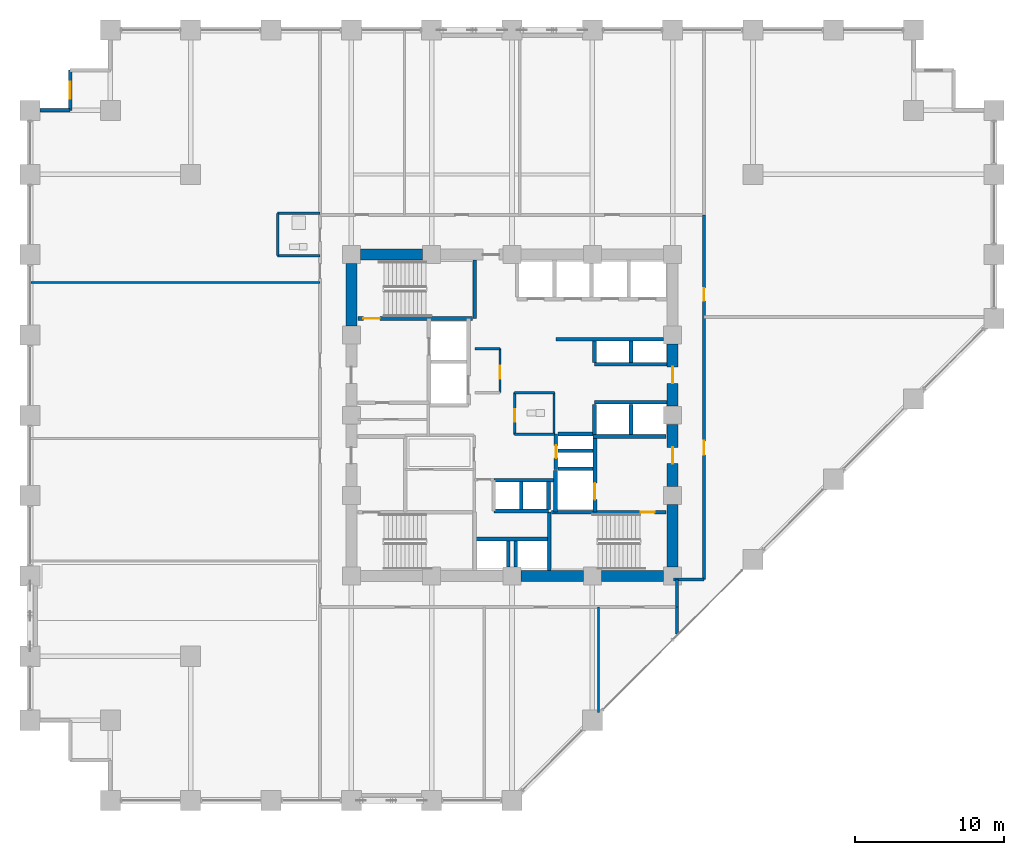
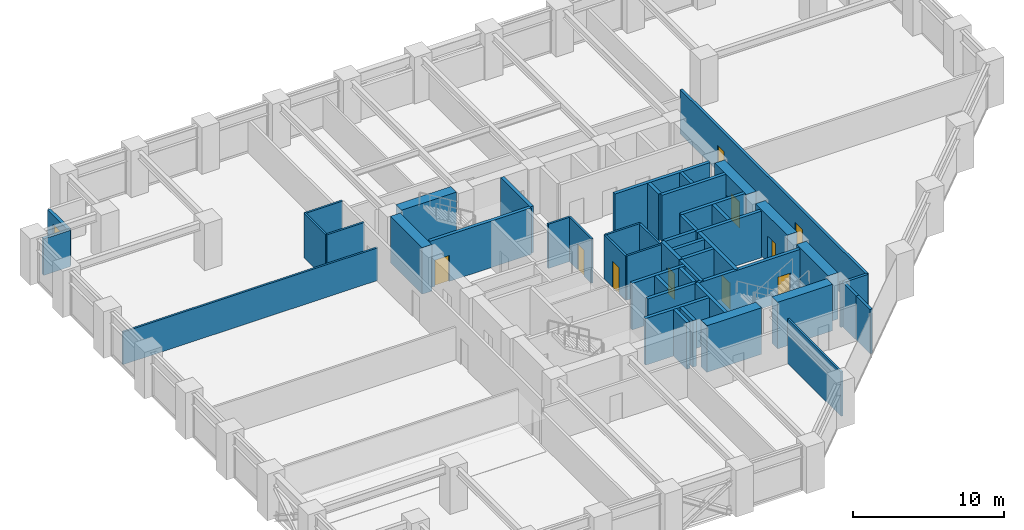
# One storey, part 21 of 25: 49 walls, 10 doors, 1 window, 11 openings.
"""IFC4 building model written with IfcOpenShell, lengths in metres."""

import ifcopenshell
import ifcopenshell.guid

model = None  # the IFC model being written
_history = None  # IfcOwnerHistory: only IFC2X3 demands one
_inside = {}  # id of a spatial element -> (the spatial element, [elements in it])
_under = {}  # id of a project, library or spatial element -> (it, [spatial elements below it])
_declared = {}  # id of a project -> (the project, [libraries it declares])
_typed = {}  # id of a type object -> (the type object, [elements of that type])
_made_of = {}  # id of a material, layer set ... -> (it, [elements and type objects made of it])


def new_model(schema):
    """Start an empty IFC model of exactly this schema.

    Asked for "IFC4X3", IfcOpenShell would pick the latest addendum, in which some entities
    have other attributes; the version numbers below select the first issue.
    IFC2X3 requires an IfcOwnerHistory on every rooted entity: one is made here for all.
    """
    global model, _history
    if schema == "IFC4X3":
        model = ifcopenshell.file(schema_version=(4, 3, 0, 0))
    else:
        model = ifcopenshell.file(schema=schema)
    _inside.clear()
    _under.clear()
    _declared.clear()
    _typed.clear()
    _made_of.clear()
    _history = None
    if model.schema == "IFC2X3":
        org = make("IfcOrganization", Name="unknown")
        user = make(
            "IfcPersonAndOrganization",
            ThePerson=make("IfcPerson", FamilyName="unknown"),
            TheOrganization=org,
        )
        app = make(
            "IfcApplication",
            ApplicationDeveloper=org,
            Version="unknown",
            ApplicationFullName="unknown",
            ApplicationIdentifier="unknown",
        )
        _history = make(
            "IfcOwnerHistory",
            OwningUser=user,
            OwningApplication=app,
            ChangeAction="ADDED",
            CreationDate=0,
        )
    return model


def make(cls, **values):
    """One entity of the class cls with the attributes given. An attribute that is None is left unset."""
    return model.create_entity(
        cls, **{name: value for name, value in values.items() if value is not None}
    )


def rooted(cls, **values):
    """An entity with a GlobalId (a new one), such as an element, a storey or a relation."""
    return make(cls, GlobalId=ifcopenshell.guid.new(), OwnerHistory=_history, **values)


def si_unit(unit_type, name, prefix=None):
    """IfcSIUnit, for example si_unit("LENGTHUNIT", "METRE", prefix="MILLI")."""
    return make("IfcSIUnit", UnitType=unit_type, Prefix=prefix, Name=name)


def assignment(units):
    """IfcUnitAssignment: the units of a project."""
    return None if units is None else make("IfcUnitAssignment", Units=units)


def point(xyz):
    """IfcCartesianPoint."""
    return None if xyz is None else make("IfcCartesianPoint", Coordinates=xyz)


def direction(xyz):
    """IfcDirection."""
    return None if xyz is None else make("IfcDirection", DirectionRatios=xyz)


def frame(location, z_axis=None, x_axis=None):
    """IfcAxis2Placement3D, a coordinate frame: its origin and axes. An axis left out is left unset."""
    return make(
        "IfcAxis2Placement3D",
        Location=point(location),
        Axis=direction(z_axis),
        RefDirection=direction(x_axis),
    )


def frame_2d(location, x_axis=None):
    """IfcAxis2Placement2D, a coordinate frame in the plane: its origin and x axis."""
    return make(
        "IfcAxis2Placement2D", Location=point(location), RefDirection=direction(x_axis)
    )


def origin():
    """The frame at (0, 0, 0) with its axes left unset."""
    return frame((0.0, 0.0, 0.0))


def place(relative_to, where):
    """IfcLocalPlacement: puts the frame where relative to a parent placement (None: the world)."""
    return make(
        "IfcLocalPlacement", PlacementRelTo=relative_to, RelativePlacement=where
    )


def context(
    kind, dimensions, precision=None, world=None, true_north=None, identifier=None
):
    """IfcGeometricRepresentationContext, for example the 3D "Model" context."""
    return make(
        "IfcGeometricRepresentationContext",
        ContextIdentifier=identifier,
        ContextType=kind,
        CoordinateSpaceDimension=dimensions,
        Precision=precision,
        WorldCoordinateSystem=world,
        TrueNorth=true_north,
    )


def subcontext(parent, identifier, kind, view, scale=None):
    """IfcGeometricRepresentationSubContext, for example "Body" below "Model"."""
    return make(
        "IfcGeometricRepresentationSubContext",
        ContextIdentifier=identifier,
        ContextType=kind,
        ParentContext=parent,
        TargetScale=scale,
        TargetView=view,
    )


def project(units=None, contexts=None):
    """IfcProject with its units and contexts."""
    return rooted(
        "IfcProject",
        Name="project",
        RepresentationContexts=contexts,
        UnitsInContext=assignment(units),
    )


def spatial(cls, under=None, at=None, **own):
    """A site, building, storey or space (cls), placed at a placement, below another one or the project."""
    s = rooted(cls, ObjectPlacement=at, **own)
    if under is not None:
        _under.setdefault(under.id(), (under, []))[1].append(s)
    return s


def profile(cls, at=None, kind="AREA", **sizes):
    """A parametric profile (cls). Its sizes go by their IFC names, for example OverallWidth=200.0."""
    return make(cls, ProfileType=kind, Position=at, **sizes)


def rectangle(**sizes):
    """IfcRectangleProfileDef."""
    return profile("IfcRectangleProfileDef", **sizes)


def extrude(swept, where, along, depth):
    """IfcExtrudedAreaSolid: the profile swept, set in the frame where, extruded along a direction by depth."""
    return make(
        "IfcExtrudedAreaSolid",
        SweptArea=swept,
        Position=where,
        ExtrudedDirection=direction(along),
        Depth=depth,
    )


def shape(context_of_items, identifier, shape_type, items):
    """IfcShapeRepresentation: the items that make up one representation, for example the "Body"."""
    return make(
        "IfcShapeRepresentation",
        ContextOfItems=context_of_items,
        RepresentationIdentifier=identifier,
        RepresentationType=shape_type,
        Items=items,
    )


def material(Name=None, Category=None):
    """IfcMaterial."""
    return make("IfcMaterial", Name=Name, Category=Category)


def layer(
    of_material, thickness, ventilated=None, Name=None, Category=None, Priority=None
):
    """IfcMaterialLayer: one layer of a wall or slab, of a material (None: an air gap)."""
    return make(
        "IfcMaterialLayer",
        Material=of_material,
        LayerThickness=thickness,
        IsVentilated=ventilated,
        Name=Name,
        Category=Category,
        Priority=Priority,
    )


def layer_set(layers, Name=None):
    """IfcMaterialLayerSet."""
    return make("IfcMaterialLayerSet", MaterialLayers=layers, LayerSetName=Name)


def made_of(thing, what):
    """Note that an element or type object is made of a material, layer set ...; save() writes the relation."""
    if what is not None:
        _made_of.setdefault(what.id(), (what, []))[1].append(thing)
    return thing


def type_object(cls, material=None, **own):
    """A type object (cls), such as IfcWallType, which elements share."""
    return made_of(rooted(cls, **own), material)


def element(
    cls,
    number,
    at=None,
    inside=None,
    cuts=None,
    type_object=None,
    material=None,
    context=None,
    identifier="Body",
    shape_type=None,
    held_by="IfcProductDefinitionShape",
    body=None,
    shapes=None,
    **own,
):
    """One element of the class cls, such as IfcWall. Its Tag is "e" and its number.

    at: its placement. inside: the storey or other place that contains it. cuts: it is an
    opening in that element (IfcRelVoidsElement). A single representation is given by context,
    identifier, shape_type and body (its items); several are given by shapes. held_by: the class
    of the entity that holds the representations. save() writes the other relations.
    """
    e = rooted(cls, Tag="e%d" % number, ObjectPlacement=at, **own)
    if body is not None:
        shapes = [shape(context, identifier, shape_type, body)]
    if shapes is not None:
        e.Representation = make(held_by, Representations=shapes)
    if inside is not None:
        _inside.setdefault(inside.id(), (inside, []))[1].append(e)
    if cuts is not None:
        rooted(
            "IfcRelVoidsElement", RelatingBuildingElement=cuts, RelatedOpeningElement=e
        )
    if type_object is not None:
        _typed.setdefault(type_object.id(), (type_object, []))[1].append(e)
    return made_of(e, material)


def fill(opening, filler):
    """IfcRelFillsElement: the door or window that sits in an opening."""
    return rooted(
        "IfcRelFillsElement",
        RelatingOpeningElement=opening,
        RelatedBuildingElement=filler,
    )


def aggregate(whole, parts):
    """IfcRelAggregates: a whole, such as a stair, and the parts it consists of."""
    return rooted("IfcRelAggregates", RelatingObject=whole, RelatedObjects=parts)


def save(model, path):
    """Write the relations noted so far, then the file.

    IfcRelAggregates (storeys below a building ...), IfcRelContainedInSpatialStructure (elements
    in a storey), IfcRelDefinesByType, IfcRelAssociatesMaterial and IfcRelDeclares: one each for
    every whole, place, type object, material and project.
    """
    for whole, parts in _under.values():
        aggregate(whole, parts)
    for where, things in _inside.values():
        rooted(
            "IfcRelContainedInSpatialStructure",
            RelatedElements=things,
            RelatingStructure=where,
        )
    for kind, things in _typed.values():
        rooted("IfcRelDefinesByType", RelatedObjects=things, RelatingType=kind)
    for what, things in _made_of.values():
        rooted("IfcRelAssociatesMaterial", RelatedObjects=things, RelatingMaterial=what)
    for by, libraries in _declared.values():
        rooted("IfcRelDeclares", RelatingContext=by, RelatedDefinitions=libraries)
    model.write(path)


model = new_model("IFC4")

# Units and contexts
model_context = context("Model", 3, precision=1e-05, world=origin(), true_north=direction((0.0, 1.0)))
body_context = subcontext(model_context, "Body", "Model", "MODEL_VIEW")
ifc_project = project(units=[si_unit("LENGTHUNIT", "METRE"), si_unit("AREAUNIT", "SQUARE_METRE"), si_unit("VOLUMEUNIT", "CUBIC_METRE"), si_unit("PLANEANGLEUNIT", "RADIAN"), si_unit("MASSUNIT", "GRAM", prefix="KILO")], contexts=[model_context])

# Site, building, storey
site_placement = place(None, origin())
site = spatial("IfcSite", under=ifc_project, at=site_placement, CompositionType="ELEMENT")
building_placement = place(site_placement, origin())
building = spatial("IfcBuilding", under=site, at=building_placement, Name="Surkhivell Harbour Commons", CompositionType="ELEMENT")
storey_placement = place(building_placement, frame((0.0, 0.0, 48.75)))
storey = spatial("IfcBuildingStorey", under=building, at=storey_placement, Name="L12", CompositionType="ELEMENT", Elevation=48.75)

# Walls
ifc_material_1 = material(Name="Concrete C60/75", Category="concrete")
ifc_layer_1 = layer(ifc_material_1, 0.75)
ifc_layer_set_1 = layer_set([ifc_layer_1], Name="Concrete C60/75")
wall_type_1 = type_object("IfcWallType", Name="WAL-CORE-750", PredefinedType="SHEAR", material=ifc_layer_set_1)
for number, where, z_axis, x_axis, name in (
    (1, (-10.18994140625, 10.800048828125, 0.0), (0.0, 0.0, 1.0), (1.0, 0.0, 0.0), "L12 Core Shear Wall North 1"),
    (2, (10.800048828125, -10.18994140625, 0.0), (0.0, 0.0, 1.0), (0.0, 1.0, 0.0), "L12 Core Shear Wall East 1"),
):
    element("IfcWall", number, at=place(storey_placement, frame(where, z_axis=z_axis, x_axis=x_axis)), inside=storey, type_object=wall_type_1, Name=name, PredefinedType="SHEAR", context=body_context, shape_type="SweptSolid", body=[
        extrude(rectangle(XDim=4.179931640625, YDim=0.75, at=frame_2d((2.08984375, 0.0))), origin(), (0.0, 0.0, 1.0), 3.75),
    ])

# Wall, opening, door
wall_1_placement = place(storey_placement, frame((10.800048828125, -4.7900390625, 0.0), z_axis=(0.0, 0.0, 1.0), x_axis=(0.0, 1.0, 0.0)))
wall_1 = element("IfcWall", 3, at=wall_1_placement, inside=storey, type_object=wall_type_1, Name="L12 Core Shear Wall East 2", PredefinedType="SHEAR", context=body_context, shape_type="SweptSolid", body=[
    extrude(rectangle(XDim=4.179931640625, YDim=0.75, at=frame_2d((2.08984375, 0.0))), origin(), (0.0, 0.0, 1.0), 3.75),
])
opening_1_placement = place(wall_1_placement, frame((1.5400390625, 0.0, 0.0)))
opening_1 = element("IfcOpeningElement", 4, at=opening_1_placement, cuts=wall_1, Name="Opening ID-1", PredefinedType="OPENING", context=body_context, shape_type="SweptSolid", body=[
    extrude(rectangle(XDim=1.10009765625, YDim=2.10009765625, at=frame_2d((0.550048828125, 1.050048828125))), frame((0.0, 0.385009765625, 0.0), z_axis=(0.0, -1.0, 0.0), x_axis=(1.0, 0.0, 0.0)), (0.0, 0.0, 1.0), 0.77001953125),
])
ifc_material_2 = material(Name="Hardwood-veneered fire-rated door leaf", Category="wood")
door_type_1 = type_object("IfcDoorType", Name="DOR-FD120-1100", OperationType="NOTDEFINED", PredefinedType="DOOR", material=ifc_material_2)
door_1_placement = place(opening_1_placement, origin())
door_1 = element("IfcDoor", 5, at=door_1_placement, inside=storey, type_object=door_type_1, Name="L12 Firefighting Lobby 2 Corridor Door", OperationType="SINGLE_SWING_RIGHT", OverallHeight=2.10009765625, OverallWidth=1.10009765625, PredefinedType="DOOR", context=body_context, shape_type="SweptSolid", body=[
    extrude(rectangle(XDim=1.10009765625, YDim=2.10009765625, at=frame_2d((0.550048828125, 1.050048828125))), frame((0.0, 0.02490234375, 0.0), z_axis=(0.0, -1.0, 0.0), x_axis=(1.0, 0.0, 0.0)), (0.0, 0.0, 1.0), 0.050048828125),
])
fill(opening_1, door_1)

# Wall
wall_2_placement = place(storey_placement, frame((0.610107421875, -10.800048828125, 0.0), z_axis=(0.0, 0.0, 1.0), x_axis=(1.0, 0.0, 0.0)))
element("IfcWall", 6, at=wall_2_placement, inside=storey, type_object=wall_type_1, Name="L12 Core Shear Wall South 3", PredefinedType="SHEAR", context=body_context, shape_type="SweptSolid", body=[
    extrude(rectangle(XDim=4.179931640625, YDim=0.75, at=frame_2d((2.08984375, 0.0))), origin(), (0.0, 0.0, 1.0), 3.75),
])

# Wall, opening, door
wall_3_placement = place(storey_placement, frame((10.800048828125, 0.610107421875, 0.0), z_axis=(0.0, 0.0, 1.0), x_axis=(0.0, 1.0, 0.0)))
wall_3 = element("IfcWall", 7, at=wall_3_placement, inside=storey, type_object=wall_type_1, Name="L12 Core Shear Wall East 3", PredefinedType="SHEAR", context=body_context, shape_type="SweptSolid", body=[
    extrude(rectangle(XDim=4.179931640625, YDim=0.75, at=frame_2d((2.08984375, 0.0))), origin(), (0.0, 0.0, 1.0), 3.75),
])
opening_2_placement = place(wall_3_placement, frame((1.5400390625, 0.0, 0.0)))
opening_2 = element("IfcOpeningElement", 8, at=opening_2_placement, cuts=wall_3, Name="Opening ID-2", PredefinedType="OPENING", context=body_context, shape_type="SweptSolid", body=[
    extrude(rectangle(XDim=1.10009765625, YDim=2.10009765625, at=frame_2d((0.550048828125, 1.050048828125))), frame((0.0, 0.385009765625, 0.0), z_axis=(0.0, -1.0, 0.0), x_axis=(1.0, 0.0, 0.0)), (0.0, 0.0, 1.0), 0.77001953125),
])
door_type_2 = type_object("IfcDoorType", Name="DOR-FD60-1100", OperationType="NOTDEFINED", PredefinedType="DOOR", material=ifc_material_2)
door_2_placement = place(opening_2_placement, origin())
door_2 = element("IfcDoor", 9, at=door_2_placement, inside=storey, type_object=door_type_2, Name="L12 Mid-Rise Lobby East Door", OperationType="SINGLE_SWING_LEFT", OverallHeight=2.10009765625, OverallWidth=1.10009765625, PredefinedType="DOOR", context=body_context, shape_type="SweptSolid", body=[
    extrude(rectangle(XDim=1.10009765625, YDim=2.10009765625, at=frame_2d((0.550048828125, 1.050048828125))), frame((0.0, 0.02490234375, 0.0), z_axis=(0.0, -1.0, 0.0), x_axis=(1.0, 0.0, 0.0)), (0.0, 0.0, 1.0), 0.050048828125),
])
fill(opening_2, door_2)

# Walls
for number, where, z_axis, x_axis, name in (
    (10, (6.010009765625, -10.800048828125, 0.0), (0.0, 0.0, 1.0), (1.0, 0.0, 0.0), "L12 Core Shear Wall South 4"),
    (11, (-10.800048828125, 6.010009765625, 0.0), (0.0, 0.0, 1.0), (0.0, 1.0, 0.0), "L12 Core Shear Wall West 4"),
):
    element("IfcWall", number, at=place(storey_placement, frame(where, z_axis=z_axis, x_axis=x_axis)), inside=storey, type_object=wall_type_1, Name=name, PredefinedType="SHEAR", context=body_context, shape_type="SweptSolid", body=[
        extrude(rectangle(XDim=4.179931640625, YDim=0.75, at=frame_2d((2.08984375, 0.0))), origin(), (0.0, 0.0, 1.0), 3.75),
    ])

# Wall, opening, window
ifc_material_3 = material(Name="Bronze-ochre cassette precast concrete C45/55", Category="concrete")
ifc_layer_2 = layer(ifc_material_3, 0.239990234375)
ifc_layer_set_2 = layer_set([ifc_layer_2], Name="Bronze-ochre cassette precast concrete C45/55")
wall_type_2 = type_object("IfcWallType", Name="WAL-EXT-OCH240", PredefinedType="STANDARD", material=ifc_layer_set_2)
wall_4_placement = place(storey_placement, frame((-29.699951171875, 23.199951171875, 0.0), z_axis=(0.0, 0.0, 1.0), x_axis=(0.0, -1.0, 0.0)))
wall_4 = element("IfcWall", 12, at=wall_4_placement, inside=storey, type_object=wall_type_2, Name="L12 Serrated Corner Facade Wall 10", PredefinedType="STANDARD", context=body_context, shape_type="SweptSolid", body=[
    extrude(rectangle(XDim=2.699951171875, YDim=0.239990234375, at=frame_2d((1.35009765625, 0.0))), origin(), (0.0, 0.0, 1.0), 2.929931640625),
])
opening_3_placement = place(wall_4_placement, frame((0.77490234375, 0.0, 0.64990234375)))
opening_3 = element("IfcOpeningElement", 13, at=opening_3_placement, cuts=wall_4, Name="Opening WN-10", PredefinedType="OPENING", context=body_context, shape_type="SweptSolid", body=[
    extrude(rectangle(XDim=1.14990234375, YDim=1.550048828125, at=frame_2d((0.574951171875, 0.77490234375))), frame((0.0, 0.1298828125, 0.0), z_axis=(0.0, -1.0, 0.0), x_axis=(1.0, 0.0, 0.0)), (0.0, 0.0, 1.0), 0.260009765625),
])
ifc_material_4 = material(Name="Thermal-break aluminium frame and double low-E glazing", Category="aluminium")
window_type = type_object("IfcWindowType", Name="WIN-SER-1150x1550", PartitioningType="SINGLE_PANEL", PredefinedType="WINDOW", material=ifc_material_4)
window_placement = place(opening_3_placement, origin())
window = element("IfcWindow", 14, at=window_placement, inside=storey, type_object=window_type, Name="L12 Serrated Alcove Window 10", OverallHeight=1.550048828125, OverallWidth=1.14990234375, PartitioningType="SINGLE_PANEL", PredefinedType="WINDOW", context=body_context, shape_type="SweptSolid", body=[
    extrude(rectangle(XDim=1.14990234375, YDim=1.550048828125, at=frame_2d((0.574951171875, 0.77490234375))), frame((0.0, 0.030029296875, 0.0), z_axis=(0.0, -1.0, 0.0), x_axis=(1.0, 0.0, 0.0)), (0.0, 0.0, 1.0), 0.06005859375),
])
fill(opening_3, window)

# Walls
wall_5_placement = place(storey_placement, frame((-29.699951171875, 20.5, 0.0), z_axis=(0.0, 0.0, 1.0), x_axis=(-1.0, 0.0, 0.0)))
element("IfcWall", 15, at=wall_5_placement, inside=storey, type_object=wall_type_2, Name="L12 Serrated Corner Facade Wall 11", PredefinedType="STANDARD", context=body_context, shape_type="SweptSolid", body=[
    extrude(rectangle(XDim=2.027099609375, YDim=0.239990234375, at=frame_2d((1.013671875, 0.0))), origin(), (0.0, 0.0, 1.0), 2.929931640625),
])
ifc_material_5 = material(Name="Twin-stud acoustic fireboard partition", Category="other")
ifc_layer_3 = layer(ifc_material_5, 0.14990234375)
ifc_layer_set_3 = layer_set([ifc_layer_3], Name="Twin-stud acoustic fireboard partition")
wall_type_3 = type_object("IfcWallType", Name="WAL-INT-150", PredefinedType="PARTITIONING", material=ifc_layer_set_3)
wall_6_placement = place(storey_placement, frame((2.820068359375, -1.25, 0.0), z_axis=(0.0, 0.0, 1.0), x_axis=(0.0, 1.0, 0.0)))
element("IfcWall", 16, at=wall_6_placement, inside=storey, type_object=wall_type_3, Name="L12 Core WC East Wall", PredefinedType="PARTITIONING", context=body_context, shape_type="SweptSolid", body=[
    extrude(rectangle(XDim=2.77001953125, YDim=0.14990234375, at=frame_2d((1.385009765625, 0.0))), origin(), (0.0, 0.0, 1.0), 3.570068359375),
])
for number, where, z_axis, x_axis, name in (
    (17, (0.179931640625, 1.52001953125, 0.0), (0.0, 0.0, 1.0), (1.0, 0.0, 0.0), "L12 Core WC North Wall"),
    (18, (0.179931640625, -1.280029296875, 0.0), (0.0, 0.0, 1.0), (1.0, 0.0, 0.0), "L12 Core WC South Wall"),
):
    element("IfcWall", number, at=place(storey_placement, frame(where, z_axis=z_axis, x_axis=x_axis)), inside=storey, type_object=wall_type_3, Name=name, PredefinedType="PARTITIONING", context=body_context, shape_type="SweptSolid", body=[
        extrude(rectangle(XDim=2.670166015625, YDim=0.14990234375, at=frame_2d((1.3349609375, 0.0))), origin(), (0.0, 0.0, 1.0), 3.570068359375),
    ])

# Wall, opening, door
wall_7_placement = place(storey_placement, frame((0.179931640625, -1.280029296875, 0.0), z_axis=(0.0, 0.0, 1.0), x_axis=(0.0, 1.0, 0.0)))
wall_7 = element("IfcWall", 19, at=wall_7_placement, inside=storey, type_object=wall_type_3, Name="L12 Core Accessible WC West Wall", PredefinedType="PARTITIONING", context=body_context, shape_type="SweptSolid", body=[
    extrude(rectangle(XDim=2.800048828125, YDim=0.14990234375, at=frame_2d((1.39990234375, 0.0))), origin(), (0.0, 0.0, 1.0), 3.570068359375),
])
opening_4_placement = place(wall_7_placement, frame((0.85009765625, 0.0, 0.0)))
opening_4 = element("IfcOpeningElement", 20, at=opening_4_placement, cuts=wall_7, Name="Opening ID-6", PredefinedType="OPENING", context=body_context, shape_type="SweptSolid", body=[
    extrude(rectangle(XDim=0.85009765625, YDim=2.10009765625, at=frame_2d((0.425048828125, 1.050048828125))), frame((0.0, 0.0849609375, 0.0), z_axis=(0.0, -1.0, 0.0), x_axis=(1.0, 0.0, 0.0)), (0.0, 0.0, 1.0), 0.169921875),
])
door_type_3 = type_object("IfcDoorType", Name="DOR-FD30-850", OperationType="NOTDEFINED", PredefinedType="DOOR", material=ifc_material_2)
door_3_placement = place(opening_4_placement, origin())
door_3 = element("IfcDoor", 21, at=door_3_placement, inside=storey, type_object=door_type_3, Name="L12 Floor Accessible WC Door", OperationType="SINGLE_SWING_RIGHT", OverallHeight=2.10009765625, OverallWidth=0.85009765625, PredefinedType="DOOR", context=body_context, shape_type="SweptSolid", body=[
    extrude(rectangle(XDim=0.85009765625, YDim=2.10009765625, at=frame_2d((0.425048828125, 1.050048828125))), frame((0.0, 0.02490234375, 0.0), z_axis=(0.0, -1.0, 0.0), x_axis=(1.0, 0.0, 0.0)), (0.0, 0.0, 1.0), 0.050048828125),
])
fill(opening_4, door_3)

wall_8_placement = place(storey_placement, frame((-0.800048828125, 1.52001953125, 0.0), z_axis=(0.0, 0.0, 1.0), x_axis=(0.0, 1.0, 0.0)))
wall_8 = element("IfcWall", 22, at=wall_8_placement, inside=storey, type_object=wall_type_3, Name="L12 Core Seminar East Wall", PredefinedType="PARTITIONING", context=body_context, shape_type="SweptSolid", body=[
    extrude(rectangle(XDim=2.9599609375, YDim=0.14990234375, at=frame_2d((1.47998046875, 0.0))), origin(), (0.0, 0.0, 1.0), 3.570068359375),
])
opening_5_placement = place(wall_8_placement, frame((0.949951171875, 0.0, 0.0)))
opening_5 = element("IfcOpeningElement", 23, at=opening_5_placement, cuts=wall_8, Name="Opening ID-6", PredefinedType="OPENING", context=body_context, shape_type="SweptSolid", body=[
    extrude(rectangle(XDim=0.85009765625, YDim=2.10009765625, at=frame_2d((0.425048828125, 1.050048828125))), frame((0.0, 0.0849609375, 0.0), z_axis=(0.0, -1.0, 0.0), x_axis=(1.0, 0.0, 0.0)), (0.0, 0.0, 1.0), 0.169921875),
])
door_4_placement = place(opening_5_placement, origin())
door_4 = element("IfcDoor", 24, at=door_4_placement, inside=storey, type_object=door_type_3, Name="L12 Central Seminar Door", OperationType="SINGLE_SWING_LEFT", OverallHeight=2.10009765625, OverallWidth=0.85009765625, PredefinedType="DOOR", context=body_context, shape_type="SweptSolid", body=[
    extrude(rectangle(XDim=0.85009765625, YDim=2.10009765625, at=frame_2d((0.425048828125, 1.050048828125))), frame((0.0, 0.02490234375, 0.0), z_axis=(0.0, -1.0, 0.0), x_axis=(1.0, 0.0, 0.0)), (0.0, 0.0, 1.0), 0.050048828125),
])
fill(opening_5, door_4)

# Walls
wall_9_placement = place(storey_placement, frame((-2.47998046875, 4.47998046875, 0.0), z_axis=(0.0, 0.0, 1.0), x_axis=(1.0, 0.0, 0.0)))
element("IfcWall", 25, at=wall_9_placement, inside=storey, type_object=wall_type_3, Name="L12 Core Seminar North Wall", PredefinedType="PARTITIONING", context=body_context, shape_type="SweptSolid", body=[
    extrude(rectangle(XDim=1.679931640625, YDim=0.14990234375, at=frame_2d((0.83984375, 0.0))), origin(), (0.0, 0.0, 1.0), 3.570068359375),
])
wall_10_placement = place(storey_placement, frame((5.820068359375, -19.9951171875, 0.0), z_axis=(0.0, 0.0, 1.0), x_axis=(0.0, 1.0, 0.0)))
element("IfcWall", 26, at=wall_10_placement, inside=storey, type_object=wall_type_3, Name="L12 South Partition P2", PredefinedType="PARTITIONING", context=body_context, shape_type="SweptSolid", body=[
    extrude(rectangle(XDim=7.09521484375, YDim=0.14990234375, at=frame_2d((3.547607421875, 0.0))), origin(), (0.0, 0.0, 1.0), 3.570068359375),
])
for number, where, z_axis, x_axis, name in (
    (27, (-15.75, 10.72998046875, 0.0), (0.0, 0.0, 1.0), (0.0, 1.0, 0.0), "L12 West Partition BTHB"),
    (28, (-15.75, 13.580078125, 0.0), (0.0, 0.0, 1.0), (1.0, 0.0, 0.0), "L12 West Partition BTHN"),
    (29, (-15.75, 10.72998046875, 0.0), (0.0, 0.0, 1.0), (1.0, 0.0, 0.0), "L12 West Partition BTHS"),
):
    element("IfcWall", number, at=place(storey_placement, frame(where, z_axis=z_axis, x_axis=x_axis)), inside=storey, type_object=wall_type_3, Name=name, PredefinedType="PARTITIONING", context=body_context, shape_type="SweptSolid", body=[
        extrude(rectangle(XDim=2.85009765625, YDim=0.14990234375, at=frame_2d((1.425048828125, 0.0))), origin(), (0.0, 0.0, 1.0), 3.570068359375),
    ])
wall_11_placement = place(storey_placement, frame((-32.340087890625, 8.929931640625, 0.0), z_axis=(0.0, 0.0, 1.0), x_axis=(1.0, 0.0, 0.0)))
element("IfcWall", 30, at=wall_11_placement, inside=storey, type_object=wall_type_3, Name="L12 West Partition PTOP", PredefinedType="PARTITIONING", context=body_context, shape_type="SweptSolid", body=[
    extrude(rectangle(XDim=19.440185546875, YDim=0.14990234375, at=frame_2d((9.72021484375, 0.0))), origin(), (0.0, 0.0, 1.0), 2.62890625),
])
ifc_material_6 = material(Name="Autoclaved aerated concrete blockwork and fire plaster", Category="masonry")
ifc_layer_4 = layer(ifc_material_6, 0.199951171875)
ifc_layer_set_4 = layer_set([ifc_layer_4], Name="Autoclaved aerated concrete blockwork and fire plaster")
wall_type_4 = type_object("IfcWallType", Name="WAL-INT-200", PredefinedType="PARTITIONING", material=ifc_layer_set_4)
wall_12_placement = place(storey_placement, frame((11.10009765625, -14.715087890625, 0.0), z_axis=(0.0, 0.0, 1.0), x_axis=(0.0, 1.0, 0.0)))
element("IfcWall", 31, at=wall_12_placement, inside=storey, type_object=wall_type_4, Name="L12 South-East Wing Corner Divider", PredefinedType="PARTITIONING", context=body_context, shape_type="SweptSolid", body=[
    extrude(rectangle(XDim=1.815185546875, YDim=0.199951171875, at=frame_2d((0.90771484375, 0.0))), origin(), (0.0, 0.0, 1.0), 3.570068359375),
])

# Wall, openings, doors
wall_13_placement = place(storey_placement, frame((12.89990234375, -11.0400390625, 0.0), z_axis=(0.0, 0.0, 1.0), x_axis=(0.0, 1.0, 0.0)))
wall_13 = element("IfcWall", 32, at=wall_13_placement, inside=storey, type_object=wall_type_4, Name="L12 Corridor East Wall", PredefinedType="PARTITIONING", context=body_context, shape_type="SweptSolid", body=[
    extrude(rectangle(XDim=24.52001953125, YDim=0.199951171875, at=frame_2d((12.260009765625, 0.0))), origin(), (0.0, 0.0, 1.0), 3.570068359375),
])
opening_6_placement = place(wall_13_placement, frame((8.375, 0.0, 0.0)))
opening_6 = element("IfcOpeningElement", 33, at=opening_6_placement, cuts=wall_13, Name="Opening ID-4", PredefinedType="OPENING", context=body_context, shape_type="SweptSolid", body=[
    extrude(rectangle(XDim=0.949951171875, YDim=2.10009765625, at=frame_2d((0.47509765625, 1.050048828125))), frame((0.0, 0.10986328125, 0.0), z_axis=(0.0, -1.0, 0.0), x_axis=(1.0, 0.0, 0.0)), (0.0, 0.0, 1.0), 0.219970703125),
])
opening_7_placement = place(wall_13_placement, frame((18.739013671875, 0.0, 0.0)))
opening_7 = element("IfcOpeningElement", 34, at=opening_7_placement, cuts=wall_13, Name="Opening ID-6", PredefinedType="OPENING", context=body_context, shape_type="SweptSolid", body=[
    extrude(rectangle(XDim=0.85009765625, YDim=2.10009765625, at=frame_2d((0.425048828125, 1.050048828125))), frame((0.0, 0.10986328125, 0.0), z_axis=(0.0, -1.0, 0.0), x_axis=(1.0, 0.0, 0.0)), (0.0, 0.0, 1.0), 0.219970703125),
])
door_5_placement = place(opening_7_placement, origin())
door_5 = element("IfcDoor", 35, at=door_5_placement, inside=storey, type_object=door_type_3, Name="L12 Resident Advisory Reception Desk East Door", OperationType="SINGLE_SWING_LEFT", OverallHeight=2.10009765625, OverallWidth=0.85009765625, PredefinedType="DOOR", context=body_context, shape_type="SweptSolid", body=[
    extrude(rectangle(XDim=0.85009765625, YDim=2.10009765625, at=frame_2d((0.425048828125, 1.050048828125))), frame((0.0, 0.02490234375, 0.0), z_axis=(0.0, -1.0, 0.0), x_axis=(1.0, 0.0, 0.0)), (0.0, 0.0, 1.0), 0.050048828125),
])
fill(opening_7, door_5)
door_type_4 = type_object("IfcDoorType", Name="DOR-FD60-950", OperationType="NOTDEFINED", PredefinedType="DOOR", material=ifc_material_2)
door_6_placement = place(opening_6_placement, origin())
door_6 = element("IfcDoor", 36, at=door_6_placement, inside=storey, type_object=door_type_4, Name="L12 Zone Concierge Reception Foyer East Door", OperationType="SINGLE_SWING_RIGHT", OverallHeight=2.10009765625, OverallWidth=0.949951171875, PredefinedType="DOOR", context=body_context, shape_type="SweptSolid", body=[
    extrude(rectangle(XDim=0.949951171875, YDim=2.10009765625, at=frame_2d((0.47509765625, 1.050048828125))), frame((0.0, 0.02490234375, 0.0), z_axis=(0.0, -1.0, 0.0), x_axis=(1.0, 0.0, 0.0)), (0.0, 0.0, 1.0), 0.050048828125),
])
fill(opening_6, door_6)

# Walls
wall_14_placement = place(storey_placement, frame((10.85009765625, -11.0400390625, 0.0), z_axis=(0.0, 0.0, 1.0), x_axis=(1.0, 0.0, 0.0)))
element("IfcWall", 37, at=wall_14_placement, inside=storey, type_object=wall_type_4, Name="L12 Corridor East South Closure Wall", PredefinedType="PARTITIONING", context=body_context, shape_type="SweptSolid", body=[
    extrude(rectangle(XDim=2.0498046875, YDim=0.199951171875, at=frame_2d((1.02490234375, 0.0))), origin(), (0.0, 0.0, 1.0), 3.570068359375),
])
wall_15_placement = place(storey_placement, frame((11.10009765625, -12.89990234375, 0.0), z_axis=(0.0, 0.0, 1.0), x_axis=(0.0, 1.0, 0.0)))
element("IfcWall", 38, at=wall_15_placement, inside=storey, type_object=wall_type_4, Name="L12 Corridor SE Closure Wall", PredefinedType="PARTITIONING", context=body_context, shape_type="SweptSolid", body=[
    extrude(rectangle(XDim=1.85986328125, YDim=0.199951171875, at=frame_2d((0.929931640625, 0.0))), origin(), (0.0, 0.0, 1.0), 3.570068359375),
])
ifc_material_7 = material(Name="Concrete C50/60", Category="concrete")
ifc_layer_5 = layer(ifc_material_7, 0.25)
ifc_layer_set_5 = layer_set([ifc_layer_5], Name="Concrete C50/60")
wall_type_5 = type_object("IfcWallType", Name="WAL-SHAFT-250", PredefinedType="SHEAR", material=ifc_layer_set_5)
wall_16_placement = place(storey_placement, frame((2.929931640625, -6.510009765625, 0.0), z_axis=(0.0, 0.0, 1.0), x_axis=(0.0, 1.0, 0.0)))
element("IfcWall", 39, at=wall_16_placement, inside=storey, type_object=wall_type_5, Name="L12 FFL2 West Shaft Wall", PredefinedType="SHEAR", context=body_context, shape_type="SweptSolid", body=[
    extrude(rectangle(XDim=2.7900390625, YDim=0.25, at=frame_2d((1.39501953125, 0.0))), origin(), (0.0, 0.0, 1.0), 3.75),
])
wall_17_placement = place(storey_placement, frame((5.43994140625, -1.419921875, 0.0), z_axis=(0.0, 0.0, 1.0), x_axis=(1.0, 0.0, 0.0)))
element("IfcWall", 40, at=wall_17_placement, inside=storey, type_object=wall_type_5, Name="L12 Firefighting Lobby 2 North Wall", PredefinedType="SHEAR", context=body_context, shape_type="SweptSolid", body=[
    extrude(rectangle(XDim=4.900146484375, YDim=0.25, at=frame_2d((2.4501953125, 0.0))), origin(), (0.0, 0.0, 1.0), 3.75),
])
wall_18_placement = place(storey_placement, frame((3.080078125, -3.60009765625, 0.0), z_axis=(0.0, 0.0, 1.0), x_axis=(1.0, 0.0, 0.0)))
element("IfcWall", 41, at=wall_18_placement, inside=storey, type_object=wall_type_5, Name="L12 FFL2 North Shaft Wall", PredefinedType="SHEAR", context=body_context, shape_type="SweptSolid", body=[
    extrude(rectangle(XDim=2.369873046875, YDim=0.25, at=frame_2d((1.18505859375, 0.0))), origin(), (0.0, 0.0, 1.0), 3.75),
])

# Wall, opening, door
wall_19_placement = place(storey_placement, frame((5.580078125, -6.510009765625, 0.0), z_axis=(0.0, 0.0, 1.0), x_axis=(0.0, 1.0, 0.0)))
wall_19 = element("IfcWall", 42, at=wall_19_placement, inside=storey, type_object=wall_type_5, Name="L12 Firefighting Lobby 2 West Shaft Wall", PredefinedType="SHEAR", context=body_context, shape_type="SweptSolid", body=[
    extrude(rectangle(XDim=5.090087890625, YDim=0.25, at=frame_2d((2.544921875, 0.0))), origin(), (0.0, 0.0, 1.0), 3.75),
])
opening_8_placement = place(wall_19_placement, frame((0.85009765625, 0.0, 0.0)))
opening_8 = element("IfcOpeningElement", 43, at=opening_8_placement, cuts=wall_19, Name="Opening LD-1", PredefinedType="OPENING", context=body_context, shape_type="SweptSolid", body=[
    extrude(rectangle(XDim=1.10009765625, YDim=2.10009765625, at=frame_2d((0.550048828125, 1.050048828125))), frame((0.0, 0.135009765625, 0.0), z_axis=(0.0, -1.0, 0.0), x_axis=(1.0, 0.0, 0.0)), (0.0, 0.0, 1.0), 0.27001953125),
])
ifc_material_8 = material(Name="Brushed stainless steel S355", Category="steel")
door_type_5 = type_object("IfcDoorType", Name="DOR-LD-1100", OperationType="SLIDING_TO_LEFT", PredefinedType="DOOR", material=ifc_material_8)
door_7_placement = place(opening_8_placement, origin())
door_7 = element("IfcDoor", 44, at=door_7_placement, inside=storey, type_object=door_type_5, Name="L12 Lift Landing Door LD-FFL2", OperationType="SLIDING_TO_RIGHT", OverallHeight=2.10009765625, OverallWidth=1.10009765625, PredefinedType="DOOR", context=body_context, shape_type="SweptSolid", body=[
    extrude(rectangle(XDim=1.10009765625, YDim=2.10009765625, at=frame_2d((0.550048828125, 1.050048828125))), frame((0.0, 0.02490234375, 0.0), z_axis=(0.0, -1.0, 0.0), x_axis=(1.0, 0.0, 0.0)), (0.0, 0.0, 1.0), 0.050048828125),
])
fill(opening_8, door_7)

# Walls
for number, where, z_axis, x_axis, name in (
    (45, (0.6201171875, -6.340087890625, 0.0), (0.0, 0.0, 1.0), (0.0, 1.0, 0.0), "L12 High-Rise Side Wall N"),
    (46, (2.449951171875, -6.340087890625, 0.0), (0.0, 0.0, 1.0), (0.0, 1.0, 0.0), "L12 High-Rise Side Wall N"),
):
    element("IfcWall", number, at=place(storey_placement, frame(where, z_axis=z_axis, x_axis=x_axis)), inside=storey, type_object=wall_type_5, Name=name, PredefinedType="SHEAR", context=body_context, shape_type="SweptSolid", body=[
        extrude(rectangle(XDim=1.880126953125, YDim=0.25, at=frame_2d((0.93994140625, 0.0))), origin(), (0.0, 0.0, 1.0), 3.75),
    ])
for number, where, z_axis, x_axis, name in (
    (47, (-0.25, -10.199951171875, 0.0), (0.0, 0.0, 1.0), (0.0, 1.0, 0.0), "L12 High-Rise Side Wall S"),
    (48, (0.25, -10.199951171875, 0.0), (0.0, 0.0, 1.0), (0.0, 1.0, 0.0), "L12 High-Rise Side Wall S"),
):
    element("IfcWall", number, at=place(storey_placement, frame(where, z_axis=z_axis, x_axis=x_axis)), inside=storey, type_object=wall_type_5, Name=name, PredefinedType="SHEAR", context=body_context, shape_type="SweptSolid", body=[
        extrude(rectangle(XDim=1.760009765625, YDim=0.25, at=frame_2d((0.8798828125, 0.0))), origin(), (0.0, 0.0, 1.0), 3.75),
    ])
wall_20_placement = place(storey_placement, frame((-1.219970703125, -6.43994140625, 0.0), z_axis=(0.0, 0.0, 1.0), x_axis=(1.0, 0.0, 0.0)))
element("IfcWall", 49, at=wall_20_placement, inside=storey, type_object=wall_type_5, Name="L12 High-Rise North Front Shaft Wall", PredefinedType="SHEAR", context=body_context, shape_type="SweptSolid", body=[
    extrude(rectangle(XDim=3.669921875, YDim=0.25, at=frame_2d((1.8349609375, 0.0))), origin(), (0.0, 0.0, 1.0), 3.75),
])
wall_21_placement = place(storey_placement, frame((-2.47998046875, -8.320068359375, 0.0), z_axis=(0.0, 0.0, 1.0), x_axis=(1.0, 0.0, 0.0)))
element("IfcWall", 50, at=wall_21_placement, inside=storey, type_object=wall_type_5, Name="L12 High-Rise South Front Shaft Wall", PredefinedType="SHEAR", context=body_context, shape_type="SweptSolid", body=[
    extrude(rectangle(XDim=4.929931640625, YDim=0.25, at=frame_2d((2.46484375, 0.0))), origin(), (0.0, 0.0, 1.0), 3.75),
])
wall_22_placement = place(storey_placement, frame((-1.219970703125, -4.360107421875, 0.0), z_axis=(0.0, 0.0, 1.0), x_axis=(1.0, 0.0, 0.0)))
element("IfcWall", 51, at=wall_22_placement, inside=storey, type_object=wall_type_5, Name="L12 High-Rise North Back Shaft Wall", PredefinedType="SHEAR", context=body_context, shape_type="SweptSolid", body=[
    extrude(rectangle(XDim=4.030029296875, YDim=0.25, at=frame_2d((2.01513671875, 0.0))), origin(), (0.0, 0.0, 1.0), 3.75),
])
wall_23_placement = place(storey_placement, frame((2.949951171875, 5.1201171875, 0.0), z_axis=(0.0, 0.0, 1.0), x_axis=(1.0, 0.0, 0.0)))
element("IfcWall", 52, at=wall_23_placement, inside=storey, type_object=wall_type_5, Name="L12 Low-Rise Lobby South Wall", PredefinedType="SHEAR", context=body_context, shape_type="SweptSolid", body=[
    extrude(rectangle(XDim=7.25, YDim=0.25, at=frame_2d((3.625, 0.0))), origin(), (0.0, 0.0, 1.0), 3.75),
])
for number, where, z_axis, x_axis, name in (
    (53, (5.550048828125, 3.550048828125, 0.0), (0.0, 0.0, 1.0), (0.0, 1.0, 0.0), "L12 Mid-Rise Shaft Side Wall N"),
    (54, (8.0, 3.550048828125, 0.0), (0.0, 0.0, 1.0), (0.0, 1.0, 0.0), "L12 Mid-Rise Shaft Side Wall N"),
):
    element("IfcWall", number, at=place(storey_placement, frame(where, z_axis=z_axis, x_axis=x_axis)), inside=storey, type_object=wall_type_5, Name=name, PredefinedType="SHEAR", context=body_context, shape_type="SweptSolid", body=[
        extrude(rectangle(XDim=1.449951171875, YDim=0.25, at=frame_2d((0.72509765625, 0.0))), origin(), (0.0, 0.0, 1.0), 3.75),
    ])
for number, where, z_axis, x_axis, name in (
    (55, (5.550048828125, -1.300048828125, 0.0), (0.0, 0.0, 1.0), (0.0, 1.0, 0.0), "L12 Mid-Rise Shaft Side Wall S"),
    (56, (8.0, -1.300048828125, 0.0), (0.0, 0.0, 1.0), (0.0, 1.0, 0.0), "L12 Mid-Rise Shaft Side Wall S"),
):
    element("IfcWall", number, at=place(storey_placement, frame(where, z_axis=z_axis, x_axis=x_axis)), inside=storey, type_object=wall_type_5, Name=name, PredefinedType="SHEAR", context=body_context, shape_type="SweptSolid", body=[
        extrude(rectangle(XDim=2.0400390625, YDim=0.25, at=frame_2d((1.02001953125, 0.0))), origin(), (0.0, 0.0, 1.0), 3.75),
    ])
for number, where, z_axis, x_axis, name in (
    (57, (5.550048828125, 3.429931640625, 0.0), (0.0, 0.0, 1.0), (1.0, 0.0, 0.0), "L12 Mid-Rise North Front Shaft Wall"),
    (58, (5.550048828125, 0.8701171875, 0.0), (0.0, 0.0, 1.0), (1.0, 0.0, 0.0), "L12 Mid-Rise South Front Shaft Wall"),
):
    element("IfcWall", number, at=place(storey_placement, frame(where, z_axis=z_axis, x_axis=x_axis)), inside=storey, type_object=wall_type_5, Name=name, PredefinedType="SHEAR", context=body_context, shape_type="SweptSolid", body=[
        extrude(rectangle(XDim=4.875, YDim=0.25, at=frame_2d((2.4375, 0.0))), origin(), (0.0, 0.0, 1.0), 3.75),
    ])
for number, where, z_axis, x_axis, name in (
    (59, (3.080078125, -2.3798828125, 0.0), (0.0, 0.0, 1.0), (1.0, 0.0, 0.0), "L12 Riser Divider Wall"),
    (60, (3.080078125, -1.25, 0.0), (0.0, 0.0, 1.0), (1.0, 0.0, 0.0), "L12 Riser North Wall"),
):
    element("IfcWall", number, at=place(storey_placement, frame(where, z_axis=z_axis, x_axis=x_axis)), inside=storey, type_object=wall_type_5, Name=name, PredefinedType="SHEAR", context=body_context, shape_type="SweptSolid", body=[
        extrude(rectangle(XDim=2.369873046875, YDim=0.25, at=frame_2d((1.18505859375, 0.0))), origin(), (0.0, 0.0, 1.0), 3.75),
    ])

# Wall, opening, door
wall_24_placement = place(storey_placement, frame((2.949951171875, -3.64990234375, 0.0), z_axis=(0.0, 0.0, 1.0), x_axis=(0.0, 1.0, 0.0)))
wall_24 = element("IfcWall", 61, at=wall_24_placement, inside=storey, type_object=wall_type_5, Name="L12 Riser Shaft West Wall", PredefinedType="SHEAR", context=body_context, shape_type="SweptSolid", body=[
    extrude(rectangle(XDim=2.39990234375, YDim=0.25, at=frame_2d((1.199951171875, 0.0))), origin(), (0.0, 0.0, 1.0), 3.75),
])
opening_9_placement = place(wall_24_placement, frame((0.77490234375, 0.0, 0.0)))
opening_9 = element("IfcOpeningElement", 62, at=opening_9_placement, cuts=wall_24, Name="Opening ID-6", PredefinedType="OPENING", context=body_context, shape_type="SweptSolid", body=[
    extrude(rectangle(XDim=0.85009765625, YDim=2.10009765625, at=frame_2d((0.425048828125, 1.050048828125))), frame((0.0, 0.135009765625, 0.0), z_axis=(0.0, -1.0, 0.0), x_axis=(1.0, 0.0, 0.0)), (0.0, 0.0, 1.0), 0.27001953125),
])
door_8_placement = place(opening_9_placement, origin())
door_8 = element("IfcDoor", 63, at=door_8_placement, inside=storey, type_object=door_type_3, Name="L12 Electrical Riser Access Door", OperationType="SINGLE_SWING_LEFT", OverallHeight=2.10009765625, OverallWidth=0.85009765625, PredefinedType="DOOR", context=body_context, shape_type="SweptSolid", body=[
    extrude(rectangle(XDim=0.85009765625, YDim=2.10009765625, at=frame_2d((0.425048828125, 1.050048828125))), frame((0.0, 0.02490234375, 0.0), z_axis=(0.0, -1.0, 0.0), x_axis=(1.0, 0.0, 0.0)), (0.0, 0.0, 1.0), 0.050048828125),
])
fill(opening_9, door_8)

# Wall
wall_25_placement = place(storey_placement, frame((-2.510009765625, 6.510009765625, 0.0), z_axis=(0.0, 0.0, 1.0), x_axis=(0.0, 1.0, 0.0)))
element("IfcWall", 64, at=wall_25_placement, inside=storey, type_object=wall_type_5, Name="L12 Stair ST1 East Shear Wall", PredefinedType="SHEAR", context=body_context, shape_type="SweptSolid", body=[
    extrude(rectangle(XDim=3.9150390625, YDim=0.25, at=frame_2d((1.95751953125, 0.0))), origin(), (0.0, 0.0, 1.0), 3.75),
])

# Wall, opening, door
wall_26_placement = place(storey_placement, frame((-10.340087890625, 6.510009765625, 0.0), z_axis=(0.0, 0.0, 1.0), x_axis=(1.0, 0.0, 0.0)))
wall_26 = element("IfcWall", 65, at=wall_26_placement, inside=storey, type_object=wall_type_5, Name="L12 Stair ST1 South Shear Wall", PredefinedType="SHEAR", context=body_context, shape_type="SweptSolid", body=[
    extrude(rectangle(XDim=7.7001953125, YDim=0.25, at=frame_2d((3.85009765625, 0.0))), origin(), (0.0, 0.0, 1.0), 3.75),
])
opening_10_placement = place(wall_26_placement, frame((0.35009765625, 0.0, 0.0)))
opening_10 = element("IfcOpeningElement", 66, at=opening_10_placement, cuts=wall_26, Name="Opening ID-2", PredefinedType="OPENING", context=body_context, shape_type="SweptSolid", body=[
    extrude(rectangle(XDim=1.10009765625, YDim=2.10009765625, at=frame_2d((0.550048828125, 1.050048828125))), frame((0.0, 0.135009765625, 0.0), z_axis=(0.0, -1.0, 0.0), x_axis=(1.0, 0.0, 0.0)), (0.0, 0.0, 1.0), 0.27001953125),
])
door_9_placement = place(opening_10_placement, origin())
door_9 = element("IfcDoor", 67, at=door_9_placement, inside=storey, type_object=door_type_2, Name="L12 Stair ST1 Exit Door", OperationType="SINGLE_SWING_LEFT", OverallHeight=2.10009765625, OverallWidth=1.10009765625, PredefinedType="DOOR", context=body_context, shape_type="SweptSolid", body=[
    extrude(rectangle(XDim=1.10009765625, YDim=2.10009765625, at=frame_2d((0.550048828125, 1.050048828125))), frame((0.0, 0.02490234375, 0.0), z_axis=(0.0, -1.0, 0.0), x_axis=(1.0, 0.0, 0.0)), (0.0, 0.0, 1.0), 0.050048828125),
])
fill(opening_10, door_9)

wall_27_placement = place(storey_placement, frame((2.639892578125, -6.510009765625, 0.0), z_axis=(0.0, 0.0, 1.0), x_axis=(1.0, 0.0, 0.0)))
wall_27 = element("IfcWall", 68, at=wall_27_placement, inside=storey, type_object=wall_type_5, Name="L12 Stair ST2 North Shear Wall", PredefinedType="SHEAR", context=body_context, shape_type="SweptSolid", body=[
    extrude(rectangle(XDim=7.7001953125, YDim=0.25, at=frame_2d((3.85009765625, 0.0))), origin(), (0.0, 0.0, 1.0), 3.75),
])
opening_11_placement = place(wall_27_placement, frame((6.0, 0.0, 0.0)))
opening_11 = element("IfcOpeningElement", 69, at=opening_11_placement, cuts=wall_27, Name="Opening ID-4", PredefinedType="OPENING", context=body_context, shape_type="SweptSolid", body=[
    extrude(rectangle(XDim=0.949951171875, YDim=2.10009765625, at=frame_2d((0.47509765625, 1.050048828125))), frame((0.0, 0.135009765625, 0.0), z_axis=(0.0, -1.0, 0.0), x_axis=(1.0, 0.0, 0.0)), (0.0, 0.0, 1.0), 0.27001953125),
])
door_10_placement = place(opening_11_placement, origin())
door_10 = element("IfcDoor", 70, at=door_10_placement, inside=storey, type_object=door_type_4, Name="L12 Stair ST2 Exit Door", OperationType="SINGLE_SWING_RIGHT", OverallHeight=2.10009765625, OverallWidth=0.949951171875, PredefinedType="DOOR", context=body_context, shape_type="SweptSolid", body=[
    extrude(rectangle(XDim=0.949951171875, YDim=2.10009765625, at=frame_2d((0.47509765625, 1.050048828125))), frame((0.0, 0.02490234375, 0.0), z_axis=(0.0, -1.0, 0.0), x_axis=(1.0, 0.0, 0.0)), (0.0, 0.0, 1.0), 0.050048828125),
])
fill(opening_11, door_10)

# Wall
wall_28_placement = place(storey_placement, frame((2.510009765625, -10.425048828125, 0.0), z_axis=(0.0, 0.0, 1.0), x_axis=(0.0, 1.0, 0.0)))
element("IfcWall", 71, at=wall_28_placement, inside=storey, type_object=wall_type_5, Name="L12 Stair ST2 West Shear Wall", PredefinedType="SHEAR", context=body_context, shape_type="SweptSolid", body=[
    extrude(rectangle(XDim=3.9150390625, YDim=0.25, at=frame_2d((1.95751953125, 0.0))), origin(), (0.0, 0.0, 1.0), 3.75),
])

save(model, "model.ifc")
